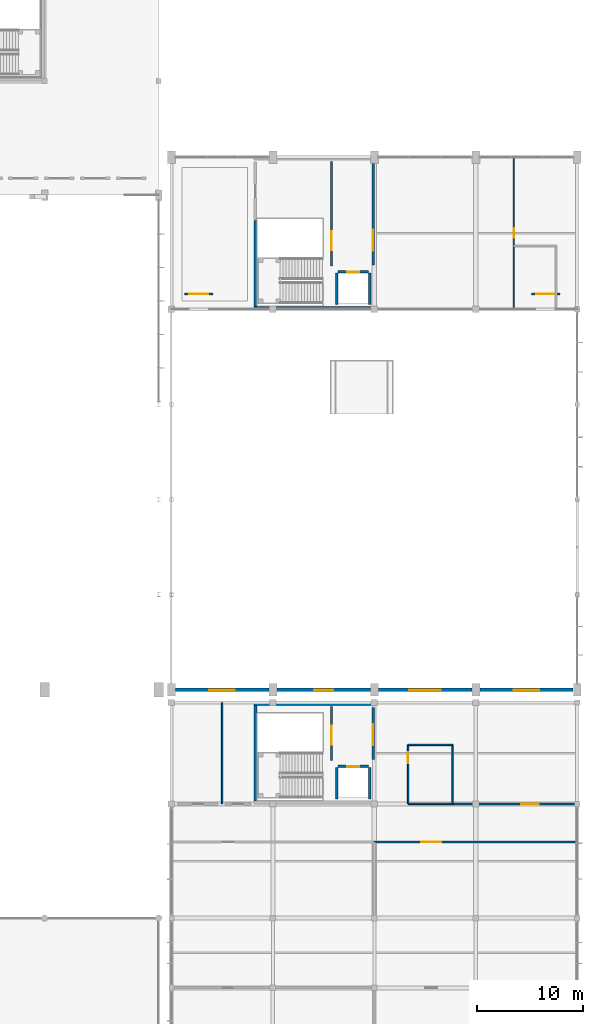
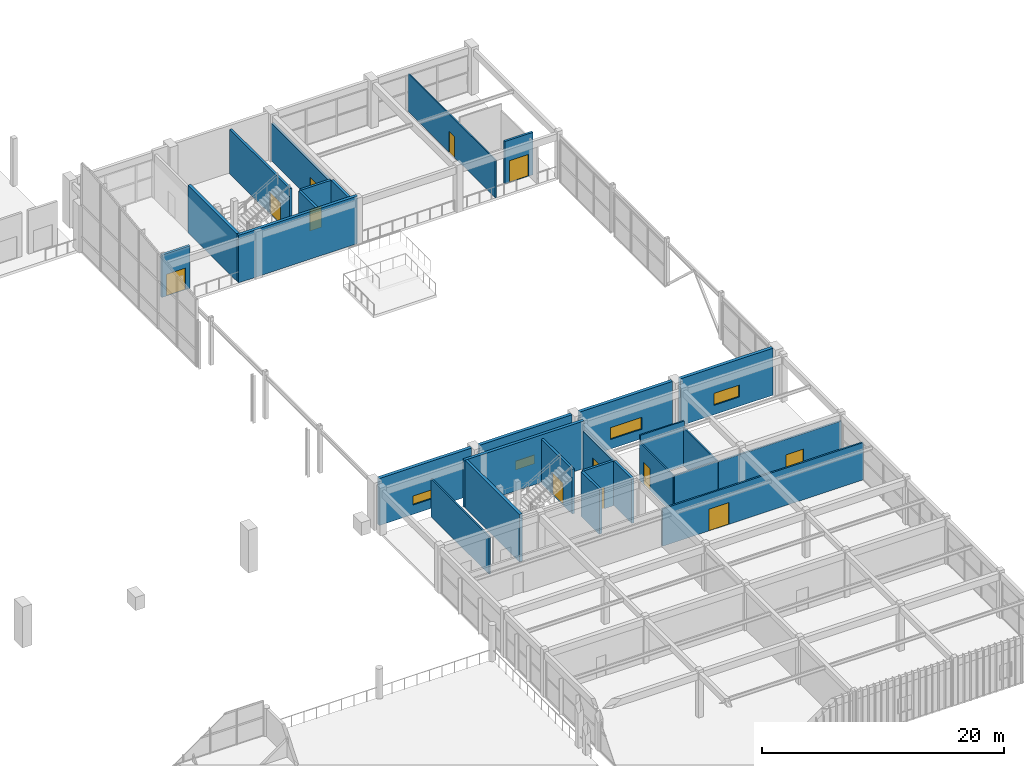
# One storey, part 54 of 74: 28 walls, 12 doors, 4 windows, 16 openings.
"""IFC4 building model written with IfcOpenShell, lengths in metres."""

from ifc_helpers import new_model, si_unit, direction, frame, frame_2d, origin, place, context, subcontext, project, spatial, rectangle, extrude, material, layer, layer_set, type_object, element, fill, save


model = new_model("IFC4")

# Units and contexts
model_context = context("Model", 3, precision=1e-05, world=origin(), true_north=direction((0.0, 1.0)))
body_context = subcontext(model_context, "Body", "Model", "MODEL_VIEW")
ifc_project = project(units=[si_unit("LENGTHUNIT", "METRE"), si_unit("AREAUNIT", "SQUARE_METRE"), si_unit("VOLUMEUNIT", "CUBIC_METRE"), si_unit("PLANEANGLEUNIT", "RADIAN"), si_unit("MASSUNIT", "GRAM", prefix="KILO")], contexts=[model_context])

# Site, building, storey
site_placement = place(None, origin())
site = spatial("IfcSite", under=ifc_project, at=site_placement, CompositionType="ELEMENT")
building_placement = place(site_placement, origin())
building = spatial("IfcBuilding", under=site, at=building_placement, Name="Suirenkawa Promenade Aquatics Centre", CompositionType="ELEMENT")
storey_placement = place(building_placement, frame((0.0, 0.0, 4.800048828125)))
storey = spatial("IfcBuildingStorey", under=building, at=storey_placement, Name="L01", CompositionType="ELEMENT", Elevation=4.800048828125)

# Walls
ifc_material_1 = material(Name="Concrete M40", Category="concrete")
ifc_layer_1 = layer(ifc_material_1, 0.280029296875, Name="Concrete M40", Category="concrete")
ifc_layer_set_1 = layer_set([ifc_layer_1], Name="Concrete M40")
wall_type_1 = type_object("IfcWallType", Name="WT-CORE-280", PredefinedType="SHEAR", material=ifc_layer_set_1)
wall_1_placement = place(storey_placement, frame((163.800048828125, 86.5400390625, 0.0), z_axis=(0.0, 0.0, 1.0), x_axis=(1.0, 0.0, 0.0)))
element("IfcWall", 1, at=wall_1_placement, inside=storey, type_object=wall_type_1, Name="C5 south core wall WL-CORE-02 W-0143", PredefinedType="SHEAR", context=body_context, shape_type="SweptSolid", body=[
    extrude(rectangle(XDim=11.39990234375, YDim=0.280029296875, at=frame_2d((5.699951171875, 0.0))), origin(), (0.0, 0.0, 1.0), 4.800048828125),
])
wall_2_placement = place(storey_placement, frame((163.93994140625, 86.679931640625, 0.0), z_axis=(0.0, 0.0, 1.0), x_axis=(0.0, 1.0, 0.0)))
element("IfcWall", 2, at=wall_2_placement, inside=storey, type_object=wall_type_1, Name="C5 west core wall WL-CORE-02 W-0145", PredefinedType="SHEAR", context=body_context, shape_type="SweptSolid", body=[
    extrude(rectangle(XDim=8.1201171875, YDim=0.280029296875, at=frame_2d((4.06005859375, 0.0))), origin(), (0.0, 0.0, 1.0), 4.800048828125),
])
wall_3_placement = place(storey_placement, frame((163.800048828125, 49.06005859375, 0.0), z_axis=(0.0, 0.0, 1.0), x_axis=(1.0, 0.0, 0.0)))
element("IfcWall", 3, at=wall_3_placement, inside=storey, type_object=wall_type_1, Name="C6 north core wall WL-CORE-02 W-0159", PredefinedType="SHEAR", context=body_context, shape_type="SweptSolid", body=[
    extrude(rectangle(XDim=11.39990234375, YDim=0.280029296875, at=frame_2d((5.699951171875, 0.0))), origin(), (0.0, 0.0, 1.0), 4.800048828125),
])
wall_4_placement = place(storey_placement, frame((163.93994140625, 39.8798828125, 0.0), z_axis=(0.0, 0.0, 1.0), x_axis=(0.0, 1.0, 0.0)))
element("IfcWall", 4, at=wall_4_placement, inside=storey, type_object=wall_type_1, Name="C6 west core wall WL-CORE-02 W-0160", PredefinedType="SHEAR", context=body_context, shape_type="SweptSolid", body=[
    extrude(rectangle(XDim=9.0400390625, YDim=0.280029296875, at=frame_2d((4.52001953125, 0.0))), origin(), (0.0, 0.0, 1.0), 4.800048828125),
])

# Wall, opening, window
ifc_layer_2 = layer(ifc_material_1, 0.31005859375, Name="Concrete M40", Category="concrete")
ifc_layer_set_2 = layer_set([ifc_layer_2], Name="Concrete M40")
wall_type_2 = type_object("IfcWallType", Name="WT-EXT-310", PredefinedType="SOLIDWALL", material=ifc_layer_set_2)
wall_5_placement = place(storey_placement, frame((165.219970703125, 50.39990234375, 0.0), z_axis=(0.0, 0.0, 1.0), x_axis=(-1.0, 0.0, 0.0)))
wall_5 = element("IfcWall", 5, at=wall_5_placement, inside=storey, type_object=wall_type_2, Name="Exterior wall WL-EXT-02 W-5026", PredefinedType="SOLIDWALL", context=body_context, shape_type="SweptSolid", body=[
    extrude(rectangle(XDim=8.840087890625, YDim=0.31005859375, at=frame_2d((4.419921875, 0.0))), origin(), (0.0, 0.0, 1.0), 4.75),
])
opening_1_placement = place(wall_5_placement, frame((3.219970703125, 0.0, 0.949951171875)))
opening_1 = element("IfcOpeningElement", 6, at=opening_1_placement, cuts=wall_5, Name="Opening WN-03", PredefinedType="OPENING", context=body_context, shape_type="SweptSolid", body=[
    extrude(rectangle(XDim=2.39990234375, YDim=0.89990234375, at=frame_2d((1.199951171875, 0.449951171875))), frame((0.0, 0.1650390625, 0.0), z_axis=(0.0, -1.0, 0.0), x_axis=(1.0, 0.0, 0.0)), (0.0, 0.0, 1.0), 0.330078125),
])
ifc_material_2 = material(Name="Low-E thermally broken double glazing", Category="glass")
window_type_1 = type_object("IfcWindowType", Name="WNT-RIB-2400x900", PartitioningType="SINGLE_PANEL", PredefinedType="WINDOW", material=ifc_material_2)
window_1_placement = place(opening_1_placement, origin())
window_1 = element("IfcWindow", 7, at=window_1_placement, inside=storey, type_object=window_type_1, Name="Window WN-03 WN-0003", OverallHeight=0.89990234375, OverallWidth=2.39990234375, PartitioningType="SINGLE_PANEL", PredefinedType="WINDOW", context=body_context, shape_type="SweptSolid", body=[
    extrude(rectangle(XDim=2.39990234375, YDim=0.89990234375, at=frame_2d((1.199951171875, 0.449951171875))), frame((0.0, 0.030029296875, 0.0), z_axis=(0.0, -1.0, 0.0), x_axis=(1.0, 0.0, 0.0)), (0.0, 0.0, 1.0), 0.06005859375),
])
fill(opening_1, window_1)

wall_6_placement = place(storey_placement, frame((174.820068359375, 50.39990234375, 0.0), z_axis=(0.0, 0.0, 1.0), x_axis=(-1.0, 0.0, 0.0)))
wall_6 = element("IfcWall", 8, at=wall_6_placement, inside=storey, type_object=wall_type_2, Name="Exterior wall WL-EXT-02 W-5029", PredefinedType="SOLIDWALL", context=body_context, shape_type="SweptSolid", body=[
    extrude(rectangle(XDim=8.840087890625, YDim=0.31005859375, at=frame_2d((4.419921875, 0.0))), origin(), (0.0, 0.0, 1.0), 4.75),
])
opening_2_placement = place(wall_6_placement, frame((3.52001953125, 0.0, 0.949951171875)))
opening_2 = element("IfcOpeningElement", 9, at=opening_2_placement, cuts=wall_6, Name="Opening WN-04", PredefinedType="OPENING", context=body_context, shape_type="SweptSolid", body=[
    extrude(rectangle(XDim=1.800048828125, YDim=0.89990234375, at=frame_2d((0.89990234375, 0.449951171875))), frame((0.0, 0.1650390625, 0.0), z_axis=(0.0, -1.0, 0.0), x_axis=(1.0, 0.0, 0.0)), (0.0, 0.0, 1.0), 0.330078125),
])
window_type_2 = type_object("IfcWindowType", Name="WNT-RIB-1800x900", PartitioningType="SINGLE_PANEL", PredefinedType="WINDOW", material=ifc_material_2)
window_2_placement = place(opening_2_placement, origin())
window_2 = element("IfcWindow", 10, at=window_2_placement, inside=storey, type_object=window_type_2, Name="Window WN-04 WN-0004", OverallHeight=0.89990234375, OverallWidth=1.800048828125, PartitioningType="SINGLE_PANEL", PredefinedType="WINDOW", context=body_context, shape_type="SweptSolid", body=[
    extrude(rectangle(XDim=1.800048828125, YDim=0.89990234375, at=frame_2d((0.89990234375, 0.449951171875))), frame((0.0, 0.030029296875, 0.0), z_axis=(0.0, -1.0, 0.0), x_axis=(1.0, 0.0, 0.0)), (0.0, 0.0, 1.0), 0.06005859375),
])
fill(opening_2, window_2)

wall_7_placement = place(storey_placement, frame((184.419921875, 50.39990234375, 0.0), z_axis=(0.0, 0.0, 1.0), x_axis=(-1.0, 0.0, 0.0)))
wall_7 = element("IfcWall", 11, at=wall_7_placement, inside=storey, type_object=wall_type_2, Name="Exterior wall WL-EXT-02 W-5031", PredefinedType="SOLIDWALL", context=body_context, shape_type="SweptSolid", body=[
    extrude(rectangle(XDim=8.83984375, YDim=0.31005859375, at=frame_2d((4.419921875, 0.0))), origin(), (0.0, 0.0, 1.0), 4.75),
])
opening_3_placement = place(wall_7_placement, frame((2.919921875, 0.0, 0.949951171875)))
opening_3 = element("IfcOpeningElement", 12, at=opening_3_placement, cuts=wall_7, Name="Opening WN-06", PredefinedType="OPENING", context=body_context, shape_type="SweptSolid", body=[
    extrude(rectangle(XDim=3.0, YDim=1.199951171875, at=frame_2d((1.5, 0.60009765625))), frame((0.0, 0.1650390625, 0.0), z_axis=(0.0, -1.0, 0.0), x_axis=(1.0, 0.0, 0.0)), (0.0, 0.0, 1.0), 0.330078125),
])
window_type_3 = type_object("IfcWindowType", Name="WNT-CLER-3000x1200", PartitioningType="SINGLE_PANEL", PredefinedType="WINDOW", material=ifc_material_2)
window_3_placement = place(opening_3_placement, origin())
window_3 = element("IfcWindow", 13, at=window_3_placement, inside=storey, type_object=window_type_3, Name="Window WN-06 WN-0006", OverallHeight=1.199951171875, OverallWidth=3.0, PartitioningType="SINGLE_PANEL", PredefinedType="WINDOW", context=body_context, shape_type="SweptSolid", body=[
    extrude(rectangle(XDim=3.0, YDim=1.199951171875, at=frame_2d((1.5, 0.60009765625))), frame((0.0, 0.030029296875, 0.0), z_axis=(0.0, -1.0, 0.0), x_axis=(1.0, 0.0, 0.0)), (0.0, 0.0, 1.0), 0.06005859375),
])
fill(opening_3, window_3)

wall_8_placement = place(storey_placement, frame((194.02001953125, 50.39990234375, 0.0), z_axis=(0.0, 0.0, 1.0), x_axis=(-1.0, 0.0, 0.0)))
wall_8 = element("IfcWall", 14, at=wall_8_placement, inside=storey, type_object=wall_type_2, Name="Exterior wall WL-EXT-02 W-5034", PredefinedType="SOLIDWALL", context=body_context, shape_type="SweptSolid", body=[
    extrude(rectangle(XDim=8.840087890625, YDim=0.31005859375, at=frame_2d((4.419921875, 0.0))), origin(), (0.0, 0.0, 1.0), 4.75),
])
opening_4_placement = place(wall_8_placement, frame((3.219970703125, 0.0, 0.949951171875)))
opening_4 = element("IfcOpeningElement", 15, at=opening_4_placement, cuts=wall_8, Name="Opening WN-07", PredefinedType="OPENING", context=body_context, shape_type="SweptSolid", body=[
    extrude(rectangle(XDim=2.39990234375, YDim=1.199951171875, at=frame_2d((1.199951171875, 0.60009765625))), frame((0.0, 0.1650390625, 0.0), z_axis=(0.0, -1.0, 0.0), x_axis=(1.0, 0.0, 0.0)), (0.0, 0.0, 1.0), 0.330078125),
])
window_type_4 = type_object("IfcWindowType", Name="WNT-CLER-2400x1200", PartitioningType="SINGLE_PANEL", PredefinedType="WINDOW", material=ifc_material_2)
window_4_placement = place(opening_4_placement, origin())
window_4 = element("IfcWindow", 16, at=window_4_placement, inside=storey, type_object=window_type_4, Name="Window WN-07 WN-0007", OverallHeight=1.199951171875, OverallWidth=2.39990234375, PartitioningType="SINGLE_PANEL", PredefinedType="WINDOW", context=body_context, shape_type="SweptSolid", body=[
    extrude(rectangle(XDim=2.39990234375, YDim=1.199951171875, at=frame_2d((1.199951171875, 0.60009765625))), frame((0.0, 0.030029296875, 0.0), z_axis=(0.0, -1.0, 0.0), x_axis=(1.0, 0.0, 0.0)), (0.0, 0.0, 1.0), 0.06005859375),
])
fill(opening_4, window_4)

# Wall, opening, door
ifc_material_3 = material(Name="Moisture-resistant acoustic gypsum board")
ifc_layer_3 = layer(ifc_material_3, 0.1201171875, Name="Moisture-resistant acoustic gypsum board")
ifc_layer_set_3 = layer_set([ifc_layer_3], Name="Moisture-resistant acoustic gypsum board")
wall_type_3 = type_object("IfcWallType", Name="WT-LIGHT-120", PredefinedType="PARTITIONING", material=ifc_layer_set_3)
wall_9_placement = place(storey_placement, frame((188.39990234375, 86.39990234375, 0.0), z_axis=(0.0, 0.0, 1.0), x_axis=(0.0, 1.0, 0.0)))
wall_9 = element("IfcWall", 17, at=wall_9_placement, inside=storey, type_object=wall_type_3, Name="Interior wall WL-PRT-05 W-7336", PredefinedType="PARTITIONING", context=body_context, shape_type="SweptSolid", body=[
    extrude(rectangle(XDim=14.400146484375, YDim=0.1201171875, at=frame_2d((7.2001953125, 0.0))), origin(), (0.0, 0.0, 1.0), 3.8349609375),
])
opening_5_placement = place(wall_9_placement, frame((6.75, 0.0, 0.0)))
opening_5 = element("IfcOpeningElement", 18, at=opening_5_placement, cuts=wall_9, Name="Opening ID-12", PredefinedType="OPENING", context=body_context, shape_type="SweptSolid", body=[
    extrude(rectangle(XDim=0.89990234375, YDim=2.10009765625, at=frame_2d((0.449951171875, 1.050048828125))), frame((0.0, 0.070068359375, 0.0), z_axis=(0.0, -1.0, 0.0), x_axis=(1.0, 0.0, 0.0)), (0.0, 0.0, 1.0), 0.14013671875),
])
ifc_material_4 = material(Name="Engineered maple acoustic sports timber", Category="wood")
door_type_1 = type_object("IfcDoorType", Name="DT-STD-900x2100", OperationType="NOTDEFINED", PredefinedType="DOOR", material=ifc_material_4)
door_1_placement = place(opening_5_placement, origin())
door_1 = element("IfcDoor", 19, at=door_1_placement, inside=storey, type_object=door_type_1, Name="Interior door ID-12 DR-INT-0198", OperationType="SINGLE_SWING_LEFT", OverallHeight=2.10009765625, OverallWidth=0.89990234375, PredefinedType="DOOR", context=body_context, shape_type="SweptSolid", body=[
    extrude(rectangle(XDim=0.89990234375, YDim=2.10009765625, at=frame_2d((0.449951171875, 1.050048828125))), frame((0.0, 0.02490234375, 0.0), z_axis=(0.0, -1.0, 0.0), x_axis=(1.0, 0.0, 0.0)), (0.0, 0.0, 1.0), 0.050048828125),
])
fill(opening_5, door_1)

ifc_material_5 = material(Name="Concrete M35", Category="concrete")
ifc_layer_4 = layer(ifc_material_5, 0.219970703125, Name="Concrete M35", Category="concrete")
ifc_layer_set_4 = layer_set([ifc_layer_4], Name="Concrete M35")
wall_type_4 = type_object("IfcWallType", Name="WT-LOBBY-220", PredefinedType="PARTITIONING", material=ifc_layer_set_4)
wall_10_placement = place(storey_placement, frame((171.14990234375, 90.5, 0.0), z_axis=(0.0, 0.0, 1.0), x_axis=(0.0, 1.0, 0.0)))
wall_10 = element("IfcWall", 20, at=wall_10_placement, inside=storey, type_object=wall_type_4, Name="Interior wall WL-LOB-01 W-7113", PredefinedType="PARTITIONING", context=body_context, shape_type="SweptSolid", body=[
    extrude(rectangle(XDim=9.89990234375, YDim=0.219970703125, at=frame_2d((4.949951171875, 0.0))), origin(), (0.0, 0.0, 1.0), 4.5048828125),
])
opening_6_placement = place(wall_10_placement, frame((1.5, 0.0, 0.0)))
opening_6 = element("IfcOpeningElement", 21, at=opening_6_placement, cuts=wall_10, Name="Opening ID-02", PredefinedType="OPENING", context=body_context, shape_type="SweptSolid", body=[
    extrude(rectangle(XDim=1.800048828125, YDim=2.199951171875, at=frame_2d((0.89990234375, 1.10009765625))), frame((0.0, 0.119873046875, 0.0), z_axis=(0.0, -1.0, 0.0), x_axis=(1.0, 0.0, 0.0)), (0.0, 0.0, 1.0), 0.239990234375),
])
ifc_material_6 = material(Name="Steel IS 2062 E350 (Grade 350)", Category="steel")
door_type_2 = type_object("IfcDoorType", Name="DT-FD120-1800x2200", OperationType="DOUBLE_DOOR_SINGLE_SWING", PredefinedType="DOOR", material=ifc_material_6)
door_2_placement = place(opening_6_placement, origin())
door_2 = element("IfcDoor", 22, at=door_2_placement, inside=storey, type_object=door_type_2, Name="Interior door ID-02 DR-INT-0073", OperationType="DOUBLE_DOOR_SINGLE_SWING", OverallHeight=2.199951171875, OverallWidth=1.800048828125, PredefinedType="DOOR", context=body_context, shape_type="SweptSolid", body=[
    extrude(rectangle(XDim=1.800048828125, YDim=2.199951171875, at=frame_2d((0.89990234375, 1.10009765625))), frame((0.0, 0.02490234375, 0.0), z_axis=(0.0, -1.0, 0.0), x_axis=(1.0, 0.0, 0.0)), (0.0, 0.0, 1.0), 0.050048828125),
])
fill(opening_6, door_2)

wall_11_placement = place(storey_placement, frame((175.090087890625, 90.60009765625, 0.0), z_axis=(0.0, 0.0, 1.0), x_axis=(0.0, 1.0, 0.0)))
wall_11 = element("IfcWall", 23, at=wall_11_placement, inside=storey, type_object=wall_type_4, Name="Interior wall WL-LOB-01 W-7117", PredefinedType="PARTITIONING", context=body_context, shape_type="SweptSolid", body=[
    extrude(rectangle(XDim=9.75, YDim=0.219970703125, at=frame_2d((4.875, 0.0))), origin(), (0.0, 0.0, 1.0), 3.784912109375),
])
opening_7_placement = place(wall_11_placement, frame((1.35009765625, 0.0, 0.0)))
opening_7 = element("IfcOpeningElement", 24, at=opening_7_placement, cuts=wall_11, Name="Opening ID-01", PredefinedType="OPENING", context=body_context, shape_type="SweptSolid", body=[
    extrude(rectangle(XDim=2.0, YDim=2.199951171875, at=frame_2d((1.0, 1.10009765625))), frame((0.0, 0.119873046875, 0.0), z_axis=(0.0, -1.0, 0.0), x_axis=(1.0, 0.0, 0.0)), (0.0, 0.0, 1.0), 0.239990234375),
])
door_type_3 = type_object("IfcDoorType", Name="DT-FD120-2000x2200", OperationType="DOUBLE_DOOR_SINGLE_SWING", PredefinedType="DOOR", material=ifc_material_6)
door_3_placement = place(opening_7_placement, origin())
door_3 = element("IfcDoor", 25, at=door_3_placement, inside=storey, type_object=door_type_3, Name="Interior door ID-01 DR-INT-0075", OperationType="DOUBLE_DOOR_SINGLE_SWING", OverallHeight=2.199951171875, OverallWidth=2.0, PredefinedType="DOOR", context=body_context, shape_type="SweptSolid", body=[
    extrude(rectangle(XDim=2.0, YDim=2.199951171875, at=frame_2d((1.0, 1.10009765625))), frame((0.0, 0.02490234375, 0.0), z_axis=(0.0, -1.0, 0.0), x_axis=(1.0, 0.0, 0.0)), (0.0, 0.0, 1.0), 0.050048828125),
])
fill(opening_7, door_3)

wall_12_placement = place(storey_placement, frame((171.14990234375, 43.699951171875, 0.0), z_axis=(0.0, 0.0, 1.0), x_axis=(0.0, 1.0, 0.0)))
wall_12 = element("IfcWall", 26, at=wall_12_placement, inside=storey, type_object=wall_type_4, Name="Interior wall WL-LOB-01 W-7136", PredefinedType="PARTITIONING", context=body_context, shape_type="SweptSolid", body=[
    extrude(rectangle(XDim=5.10009765625, YDim=0.219970703125, at=frame_2d((2.550048828125, 0.0))), origin(), (0.0, 0.0, 1.0), 4.5048828125),
])
opening_8_placement = place(wall_12_placement, frame((1.5, 0.0, 0.0)))
opening_8 = element("IfcOpeningElement", 27, at=opening_8_placement, cuts=wall_12, Name="Opening ID-02", PredefinedType="OPENING", context=body_context, shape_type="SweptSolid", body=[
    extrude(rectangle(XDim=1.800048828125, YDim=2.199951171875, at=frame_2d((0.89990234375, 1.10009765625))), frame((0.0, 0.119873046875, 0.0), z_axis=(0.0, -1.0, 0.0), x_axis=(1.0, 0.0, 0.0)), (0.0, 0.0, 1.0), 0.239990234375),
])
door_4_placement = place(opening_8_placement, origin())
door_4 = element("IfcDoor", 28, at=door_4_placement, inside=storey, type_object=door_type_2, Name="Interior door ID-02 DR-INT-0088", OperationType="DOUBLE_DOOR_SINGLE_SWING", OverallHeight=2.199951171875, OverallWidth=1.800048828125, PredefinedType="DOOR", context=body_context, shape_type="SweptSolid", body=[
    extrude(rectangle(XDim=1.800048828125, YDim=2.199951171875, at=frame_2d((0.89990234375, 1.10009765625))), frame((0.0, 0.02490234375, 0.0), z_axis=(0.0, -1.0, 0.0), x_axis=(1.0, 0.0, 0.0)), (0.0, 0.0, 1.0), 0.050048828125),
])
fill(opening_8, door_4)

wall_13_placement = place(storey_placement, frame((175.090087890625, 43.800048828125, 0.0), z_axis=(0.0, 0.0, 1.0), x_axis=(0.0, 1.0, 0.0)))
wall_13 = element("IfcWall", 29, at=wall_13_placement, inside=storey, type_object=wall_type_4, Name="Interior wall WL-LOB-01 W-7140", PredefinedType="PARTITIONING", context=body_context, shape_type="SweptSolid", body=[
    extrude(rectangle(XDim=4.949951171875, YDim=0.219970703125, at=frame_2d((2.47509765625, 0.0))), origin(), (0.0, 0.0, 1.0), 3.925048828125),
])
opening_9_placement = place(wall_13_placement, frame((1.35009765625, 0.0, 0.0)))
opening_9 = element("IfcOpeningElement", 30, at=opening_9_placement, cuts=wall_13, Name="Opening ID-01", PredefinedType="OPENING", context=body_context, shape_type="SweptSolid", body=[
    extrude(rectangle(XDim=2.0, YDim=2.199951171875, at=frame_2d((1.0, 1.10009765625))), frame((0.0, 0.119873046875, 0.0), z_axis=(0.0, -1.0, 0.0), x_axis=(1.0, 0.0, 0.0)), (0.0, 0.0, 1.0), 0.239990234375),
])
door_5_placement = place(opening_9_placement, origin())
door_5 = element("IfcDoor", 31, at=door_5_placement, inside=storey, type_object=door_type_3, Name="Interior door ID-01 DR-INT-0090", OperationType="DOUBLE_DOOR_SINGLE_SWING", OverallHeight=2.199951171875, OverallWidth=2.0, PredefinedType="DOOR", context=body_context, shape_type="SweptSolid", body=[
    extrude(rectangle(XDim=2.0, YDim=2.199951171875, at=frame_2d((1.0, 1.10009765625))), frame((0.0, 0.02490234375, 0.0), z_axis=(0.0, -1.0, 0.0), x_axis=(1.0, 0.0, 0.0)), (0.0, 0.0, 1.0), 0.050048828125),
])
fill(opening_9, door_5)

wall_14_placement = place(storey_placement, frame((157.25, 87.85009765625, 0.0), z_axis=(0.0, 0.0, 1.0), x_axis=(1.0, 0.0, 0.0)))
wall_14 = element("IfcWall", 32, at=wall_14_placement, inside=storey, type_object=wall_type_4, Name="Interior wall WL-LOB-01 W-7404", PredefinedType="PARTITIONING", context=body_context, shape_type="SweptSolid", body=[
    extrude(rectangle(XDim=2.699951171875, YDim=0.219970703125, at=frame_2d((1.35009765625, 0.0))), origin(), (0.0, 0.0, 1.0), 4.284912109375),
])
opening_10_placement = place(wall_14_placement, frame((0.449951171875, 0.0, 0.0)))
opening_10 = element("IfcOpeningElement", 33, at=opening_10_placement, cuts=wall_14, Name="Opening ID-02", PredefinedType="OPENING", context=body_context, shape_type="SweptSolid", body=[
    extrude(rectangle(XDim=1.800048828125, YDim=2.199951171875, at=frame_2d((0.89990234375, 1.10009765625))), frame((0.0, 0.119873046875, 0.0), z_axis=(0.0, -1.0, 0.0), x_axis=(1.0, 0.0, 0.0)), (0.0, 0.0, 1.0), 0.239990234375),
])
door_6_placement = place(opening_10_placement, origin())
door_6 = element("IfcDoor", 34, at=door_6_placement, inside=storey, type_object=door_type_2, Name="Interior door ID-02 DR-INT-0240", OperationType="DOUBLE_DOOR_SINGLE_SWING", OverallHeight=2.199951171875, OverallWidth=1.800048828125, PredefinedType="DOOR", context=body_context, shape_type="SweptSolid", body=[
    extrude(rectangle(XDim=1.800048828125, YDim=2.199951171875, at=frame_2d((0.89990234375, 1.10009765625))), frame((0.0, 0.02490234375, 0.0), z_axis=(0.0, -1.0, 0.0), x_axis=(1.0, 0.0, 0.0)), (0.0, 0.0, 1.0), 0.050048828125),
])
fill(opening_10, door_6)

wall_15_placement = place(storey_placement, frame((190.050048828125, 87.85009765625, 0.0), z_axis=(0.0, 0.0, 1.0), x_axis=(1.0, 0.0, 0.0)))
wall_15 = element("IfcWall", 35, at=wall_15_placement, inside=storey, type_object=wall_type_4, Name="Interior wall WL-LOB-01 W-7405", PredefinedType="PARTITIONING", context=body_context, shape_type="SweptSolid", body=[
    extrude(rectangle(XDim=2.699951171875, YDim=0.219970703125, at=frame_2d((1.35009765625, 0.0))), origin(), (0.0, 0.0, 1.0), 4.284912109375),
])
opening_11_placement = place(wall_15_placement, frame((0.449951171875, 0.0, 0.0)))
opening_11 = element("IfcOpeningElement", 36, at=opening_11_placement, cuts=wall_15, Name="Opening ID-02", PredefinedType="OPENING", context=body_context, shape_type="SweptSolid", body=[
    extrude(rectangle(XDim=1.800048828125, YDim=2.199951171875, at=frame_2d((0.89990234375, 1.10009765625))), frame((0.0, 0.119873046875, 0.0), z_axis=(0.0, -1.0, 0.0), x_axis=(1.0, 0.0, 0.0)), (0.0, 0.0, 1.0), 0.239990234375),
])
door_7_placement = place(opening_11_placement, origin())
door_7 = element("IfcDoor", 37, at=door_7_placement, inside=storey, type_object=door_type_2, Name="Interior door ID-02 DR-INT-0241", OperationType="DOUBLE_DOOR_SINGLE_SWING", OverallHeight=2.199951171875, OverallWidth=1.800048828125, PredefinedType="DOOR", context=body_context, shape_type="SweptSolid", body=[
    extrude(rectangle(XDim=1.800048828125, YDim=2.199951171875, at=frame_2d((0.89990234375, 1.10009765625))), frame((0.0, 0.02490234375, 0.0), z_axis=(0.0, -1.0, 0.0), x_axis=(1.0, 0.0, 0.0)), (0.0, 0.0, 1.0), 0.050048828125),
])
fill(opening_11, door_7)

ifc_layer_5 = layer(ifc_material_1, 0.239990234375, Name="Concrete M40", Category="concrete")
ifc_layer_set_5 = layer_set([ifc_layer_5], Name="Concrete M40")
wall_type_5 = type_object("IfcWallType", Name="WT-SHAFT-240", PredefinedType="SOLIDWALL", material=ifc_layer_set_5)
wall_16_placement = place(storey_placement, frame((171.75, 89.949951171875, 0.0), z_axis=(0.0, 0.0, 1.0), x_axis=(1.0, 0.0, 0.0)))
wall_16 = element("IfcWall", 38, at=wall_16_placement, inside=storey, type_object=wall_type_5, Name="Interior wall WL-SHF-01 W-7114", PredefinedType="SOLIDWALL", context=body_context, shape_type="SweptSolid", body=[
    extrude(rectangle(XDim=2.89990234375, YDim=0.239990234375, at=frame_2d((1.449951171875, 0.0))), origin(), (0.0, 0.0, 1.0), 4.5048828125),
])
opening_12_placement = place(wall_16_placement, frame((0.89990234375, 0.0, 0.0)))
opening_12 = element("IfcOpeningElement", 39, at=opening_12_placement, cuts=wall_16, Name="Opening LD-01", PredefinedType="OPENING", context=body_context, shape_type="SweptSolid", body=[
    extrude(rectangle(XDim=1.10009765625, YDim=2.14990234375, at=frame_2d((0.550048828125, 1.074951171875))), frame((0.0, 0.1298828125, 0.0), z_axis=(0.0, -1.0, 0.0), x_axis=(1.0, 0.0, 0.0)), (0.0, 0.0, 1.0), 0.260009765625),
])
ifc_material_7 = material(Name="Marine-grade stainless steel Grade 316L", Category="steel")
door_type_4 = type_object("IfcDoorType", Name="DT-LIFT-1100x2150", OperationType="DOUBLE_DOOR_SLIDING", PredefinedType="DOOR", material=ifc_material_7)
door_8_placement = place(opening_12_placement, origin())
door_8 = element("IfcDoor", 40, at=door_8_placement, inside=storey, type_object=door_type_4, Name="Landing door LD-01 DR-INT-0074", OperationType="DOUBLE_DOOR_SLIDING", OverallHeight=2.14990234375, OverallWidth=1.10009765625, PredefinedType="DOOR", context=body_context, shape_type="SweptSolid", body=[
    extrude(rectangle(XDim=1.10009765625, YDim=2.14990234375, at=frame_2d((0.550048828125, 1.074951171875))), frame((0.0, 0.02490234375, 0.0), z_axis=(0.0, -1.0, 0.0), x_axis=(1.0, 0.0, 0.0)), (0.0, 0.0, 1.0), 0.050048828125),
])
fill(opening_12, door_8)

# Walls
for number, where, z_axis, x_axis, name in (
    (41, (171.64990234375, 86.85009765625, 0.0), (0.0, 0.0, 1.0), (0.0, 1.0, 0.0), "Interior wall WL-SHF-01 W-7115"),
    (42, (174.75, 86.85009765625, 0.0), (0.0, 0.0, 1.0), (0.0, 1.0, 0.0), "Interior wall WL-SHF-01 W-7116"),
):
    element("IfcWall", number, at=place(storey_placement, frame(where, z_axis=z_axis, x_axis=x_axis)), inside=storey, type_object=wall_type_5, Name=name, PredefinedType="SOLIDWALL", context=body_context, shape_type="SweptSolid", body=[
        extrude(rectangle(XDim=3.0, YDim=0.239990234375, at=frame_2d((1.5, 0.0))), origin(), (0.0, 0.0, 1.0), 4.5048828125),
    ])

# Wall, opening, door
wall_17_placement = place(storey_placement, frame((171.75, 43.14990234375, 0.0), z_axis=(0.0, 0.0, 1.0), x_axis=(1.0, 0.0, 0.0)))
wall_17 = element("IfcWall", 43, at=wall_17_placement, inside=storey, type_object=wall_type_5, Name="Interior wall WL-SHF-01 W-7137", PredefinedType="SOLIDWALL", context=body_context, shape_type="SweptSolid", body=[
    extrude(rectangle(XDim=2.89990234375, YDim=0.239990234375, at=frame_2d((1.449951171875, 0.0))), origin(), (0.0, 0.0, 1.0), 4.5048828125),
])
opening_13_placement = place(wall_17_placement, frame((0.89990234375, 0.0, 0.0)))
opening_13 = element("IfcOpeningElement", 44, at=opening_13_placement, cuts=wall_17, Name="Opening LD-01", PredefinedType="OPENING", context=body_context, shape_type="SweptSolid", body=[
    extrude(rectangle(XDim=1.10009765625, YDim=2.14990234375, at=frame_2d((0.550048828125, 1.074951171875))), frame((0.0, 0.1298828125, 0.0), z_axis=(0.0, -1.0, 0.0), x_axis=(1.0, 0.0, 0.0)), (0.0, 0.0, 1.0), 0.260009765625),
])
door_9_placement = place(opening_13_placement, origin())
door_9 = element("IfcDoor", 45, at=door_9_placement, inside=storey, type_object=door_type_4, Name="Landing door LD-01 DR-INT-0089", OperationType="DOUBLE_DOOR_SLIDING", OverallHeight=2.14990234375, OverallWidth=1.10009765625, PredefinedType="DOOR", context=body_context, shape_type="SweptSolid", body=[
    extrude(rectangle(XDim=1.10009765625, YDim=2.14990234375, at=frame_2d((0.550048828125, 1.074951171875))), frame((0.0, 0.02490234375, 0.0), z_axis=(0.0, -1.0, 0.0), x_axis=(1.0, 0.0, 0.0)), (0.0, 0.0, 1.0), 0.050048828125),
])
fill(opening_13, door_9)

# Walls
for number, where, z_axis, x_axis, name in (
    (46, (171.64990234375, 40.050048828125, 0.0), (0.0, 0.0, 1.0), (0.0, 1.0, 0.0), "Interior wall WL-SHF-01 W-7138"),
    (47, (174.75, 40.050048828125, 0.0), (0.0, 0.0, 1.0), (0.0, 1.0, 0.0), "Interior wall WL-SHF-01 W-7139"),
):
    element("IfcWall", number, at=place(storey_placement, frame(where, z_axis=z_axis, x_axis=x_axis)), inside=storey, type_object=wall_type_5, Name=name, PredefinedType="SOLIDWALL", context=body_context, shape_type="SweptSolid", body=[
        extrude(rectangle(XDim=3.0, YDim=0.239990234375, at=frame_2d((1.5, 0.0))), origin(), (0.0, 0.0, 1.0), 4.5048828125),
    ])
ifc_layer_6 = layer(ifc_material_3, 0.139892578125, Name="Moisture-resistant acoustic gypsum board")
ifc_layer_set_6 = layer_set([ifc_layer_6], Name="Moisture-resistant acoustic gypsum board")
wall_type_6 = type_object("IfcWallType", Name="WT-STD-140", PredefinedType="PARTITIONING", material=ifc_layer_set_6)
wall_18_placement = place(storey_placement, frame((160.800048828125, 39.60009765625, 0.0), z_axis=(0.0, 0.0, 1.0), x_axis=(0.0, 1.0, 0.0)))
element("IfcWall", 48, at=wall_18_placement, inside=storey, type_object=wall_type_6, Name="Interior wall WL-PRT-04 W-7373", PredefinedType="PARTITIONING", context=body_context, shape_type="SweptSolid", body=[
    extrude(rectangle(XDim=9.599853515625, YDim=0.139892578125, at=frame_2d((4.7998046875, 0.0))), origin(), (0.0, 0.0, 1.0), 3.824951171875),
])

# Wall, opening, door
wall_19_placement = place(storey_placement, frame((178.39990234375, 39.60009765625, 0.0), z_axis=(0.0, 0.0, 1.0), x_axis=(0.0, 1.0, 0.0)))
wall_19 = element("IfcWall", 49, at=wall_19_placement, inside=storey, type_object=wall_type_6, Name="Interior wall WL-PRT-04 W-7374", PredefinedType="PARTITIONING", context=body_context, shape_type="SweptSolid", body=[
    extrude(rectangle(XDim=5.599853515625, YDim=0.139892578125, at=frame_2d((2.7998046875, 0.0))), origin(), (0.0, 0.0, 1.0), 3.824951171875),
])
opening_14_placement = place(wall_19_placement, frame((3.843017578125, 0.0, 0.0)))
opening_14 = element("IfcOpeningElement", 50, at=opening_14_placement, cuts=wall_19, Name="Opening ID-08", PredefinedType="OPENING", context=body_context, shape_type="SweptSolid", body=[
    extrude(rectangle(XDim=1.050048828125, YDim=2.199951171875, at=frame_2d((0.52490234375, 1.10009765625))), frame((0.0, 0.079833984375, 0.0), z_axis=(0.0, -1.0, 0.0), x_axis=(1.0, 0.0, 0.0)), (0.0, 0.0, 1.0), 0.159912109375),
])
ifc_material_8 = material(Name="Anodised aluminium 6063-T6", Category="aluminium")
door_type_5 = type_object("IfcDoorType", Name="DT-ACC-1050x2200", OperationType="NOTDEFINED", PredefinedType="DOOR", material=ifc_material_8)
door_10_placement = place(opening_14_placement, origin())
door_10 = element("IfcDoor", 51, at=door_10_placement, inside=storey, type_object=door_type_5, Name="Interior door ID-08 DR-INT-0219", OperationType="SINGLE_SWING_LEFT", OverallHeight=2.199951171875, OverallWidth=1.050048828125, PredefinedType="DOOR", context=body_context, shape_type="SweptSolid", body=[
    extrude(rectangle(XDim=1.050048828125, YDim=2.199951171875, at=frame_2d((0.52490234375, 1.10009765625))), frame((0.0, 0.02490234375, 0.0), z_axis=(0.0, -1.0, 0.0), x_axis=(1.0, 0.0, 0.0)), (0.0, 0.0, 1.0), 0.050048828125),
])
fill(opening_14, door_10)

# Walls
wall_20_placement = place(storey_placement, frame((178.39990234375, 39.60009765625, 0.0), z_axis=(0.0, 0.0, 1.0), x_axis=(1.0, 0.0, 0.0)))
element("IfcWall", 52, at=wall_20_placement, inside=storey, type_object=wall_type_6, Name="Interior wall WL-PRT-04 W-7375", PredefinedType="PARTITIONING", context=body_context, shape_type="SweptSolid", body=[
    extrude(rectangle(XDim=4.2001953125, YDim=0.139892578125, at=frame_2d((2.10009765625, 0.0))), origin(), (0.0, 0.0, 1.0), 3.824951171875),
])
wall_21_placement = place(storey_placement, frame((182.60009765625, 39.60009765625, 0.0), z_axis=(0.0, 0.0, 1.0), x_axis=(0.0, 1.0, 0.0)))
element("IfcWall", 53, at=wall_21_placement, inside=storey, type_object=wall_type_6, Name="Interior wall WL-PRT-04 W-7376", PredefinedType="PARTITIONING", context=body_context, shape_type="SweptSolid", body=[
    extrude(rectangle(XDim=5.599853515625, YDim=0.139892578125, at=frame_2d((2.7998046875, 0.0))), origin(), (0.0, 0.0, 1.0), 3.824951171875),
])
wall_22_placement = place(storey_placement, frame((178.39990234375, 45.199951171875, 0.0), z_axis=(0.0, 0.0, 1.0), x_axis=(1.0, 0.0, 0.0)))
element("IfcWall", 54, at=wall_22_placement, inside=storey, type_object=wall_type_6, Name="Interior wall WL-PRT-04 W-7377", PredefinedType="PARTITIONING", context=body_context, shape_type="SweptSolid", body=[
    extrude(rectangle(XDim=4.2001953125, YDim=0.139892578125, at=frame_2d((2.10009765625, 0.0))), origin(), (0.0, 0.0, 1.0), 4.5048828125),
])

# Wall, opening, door
ifc_material_9 = material(Name="Autoclaved aerated concrete blockwork Grade 1", Category="masonry")
ifc_layer_7 = layer(ifc_material_9, 0.159912109375, Name="Autoclaved aerated concrete blockwork Grade 1", Category="masonry")
ifc_layer_set_7 = layer_set([ifc_layer_7], Name="Autoclaved aerated concrete blockwork Grade 1")
wall_type_7 = type_object("IfcWallType", Name="WT-WET-160", PredefinedType="PARTITIONING", material=ifc_layer_set_7)
wall_23_placement = place(storey_placement, frame((175.199951171875, 36.0, 0.0), z_axis=(0.0, 0.0, 1.0), x_axis=(1.0, 0.0, 0.0)))
wall_23 = element("IfcWall", 55, at=wall_23_placement, inside=storey, type_object=wall_type_7, Name="Interior wall WL-PRT-03 W-7372", PredefinedType="PARTITIONING", context=body_context, shape_type="SweptSolid", body=[
    extrude(rectangle(XDim=19.199951171875, YDim=0.159912109375, at=frame_2d((9.60009765625, 0.0))), origin(), (0.0, 0.0, 1.0), 3.77490234375),
])
opening_15_placement = place(wall_23_placement, frame((4.426025390625, 0.0, 0.0)))
opening_15 = element("IfcOpeningElement", 56, at=opening_15_placement, cuts=wall_23, Name="Opening DR-FD60", PredefinedType="OPENING", context=body_context, shape_type="SweptSolid", body=[
    extrude(rectangle(XDim=1.89990234375, YDim=2.199951171875, at=frame_2d((0.949951171875, 1.10009765625))), frame((0.0, 0.08984375, 0.0), z_axis=(0.0, -1.0, 0.0), x_axis=(1.0, 0.0, 0.0)), (0.0, 0.0, 1.0), 0.179931640625),
])
door_type_6 = type_object("IfcDoorType", Name="DT-FD60-1900x2200", OperationType="DOUBLE_DOOR_SINGLE_SWING", PredefinedType="DOOR", material=ifc_material_4)
door_11_placement = place(opening_15_placement, origin())
door_11 = element("IfcDoor", 57, at=door_11_placement, inside=storey, type_object=door_type_6, Name="Interior door DR-FD60 DR-INT-0218", OperationType="DOUBLE_DOOR_SINGLE_SWING", OverallHeight=2.199951171875, OverallWidth=1.89990234375, PredefinedType="DOOR", context=body_context, shape_type="SweptSolid", body=[
    extrude(rectangle(XDim=1.89990234375, YDim=2.199951171875, at=frame_2d((0.949951171875, 1.10009765625))), frame((0.0, 0.02490234375, 0.0), z_axis=(0.0, -1.0, 0.0), x_axis=(1.0, 0.0, 0.0)), (0.0, 0.0, 1.0), 0.050048828125),
])
fill(opening_15, door_11)

wall_24_placement = place(storey_placement, frame((182.60009765625, 39.60009765625, 0.0), z_axis=(0.0, 0.0, 1.0), x_axis=(1.0, 0.0, 0.0)))
wall_24 = element("IfcWall", 58, at=wall_24_placement, inside=storey, type_object=wall_type_7, Name="Interior wall WL-PRT-03 W-7378", PredefinedType="PARTITIONING", context=body_context, shape_type="SweptSolid", body=[
    extrude(rectangle(XDim=11.7998046875, YDim=0.159912109375, at=frame_2d((5.89990234375, 0.0))), origin(), (0.0, 0.0, 1.0), 3.77490234375),
])
opening_16_placement = place(wall_24_placement, frame((6.490966796875, 0.0, 0.0)))
opening_16 = element("IfcOpeningElement", 59, at=opening_16_placement, cuts=wall_24, Name="Opening ID-05", PredefinedType="OPENING", context=body_context, shape_type="SweptSolid", body=[
    extrude(rectangle(XDim=1.64990234375, YDim=2.199951171875, at=frame_2d((0.824951171875, 1.10009765625))), frame((0.0, 0.08984375, 0.0), z_axis=(0.0, -1.0, 0.0), x_axis=(1.0, 0.0, 0.0)), (0.0, 0.0, 1.0), 0.179931640625),
])
door_type_7 = type_object("IfcDoorType", Name="DT-FD60-1650x2200", OperationType="DOUBLE_DOOR_SINGLE_SWING", PredefinedType="DOOR", material=ifc_material_4)
door_12_placement = place(opening_16_placement, origin())
door_12 = element("IfcDoor", 60, at=door_12_placement, inside=storey, type_object=door_type_7, Name="Interior door ID-05 DR-INT-0220", OperationType="DOUBLE_DOOR_SINGLE_SWING", OverallHeight=2.199951171875, OverallWidth=1.64990234375, PredefinedType="DOOR", context=body_context, shape_type="SweptSolid", body=[
    extrude(rectangle(XDim=1.64990234375, YDim=2.199951171875, at=frame_2d((0.824951171875, 1.10009765625))), frame((0.0, 0.02490234375, 0.0), z_axis=(0.0, -1.0, 0.0), x_axis=(1.0, 0.0, 0.0)), (0.0, 0.0, 1.0), 0.050048828125),
])
fill(opening_16, door_12)

save(model, "model.ifc")
